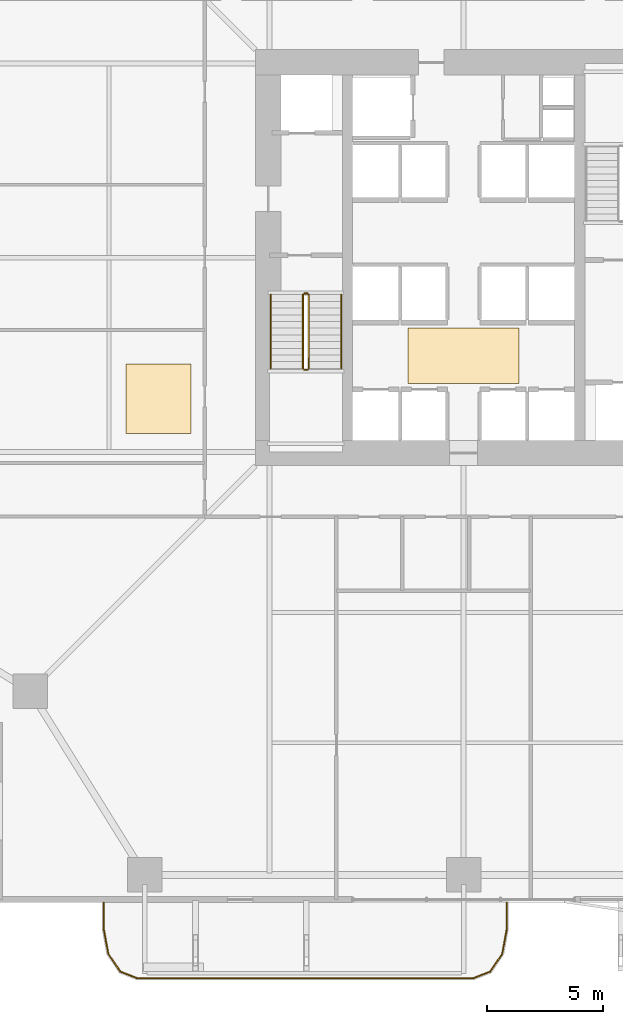
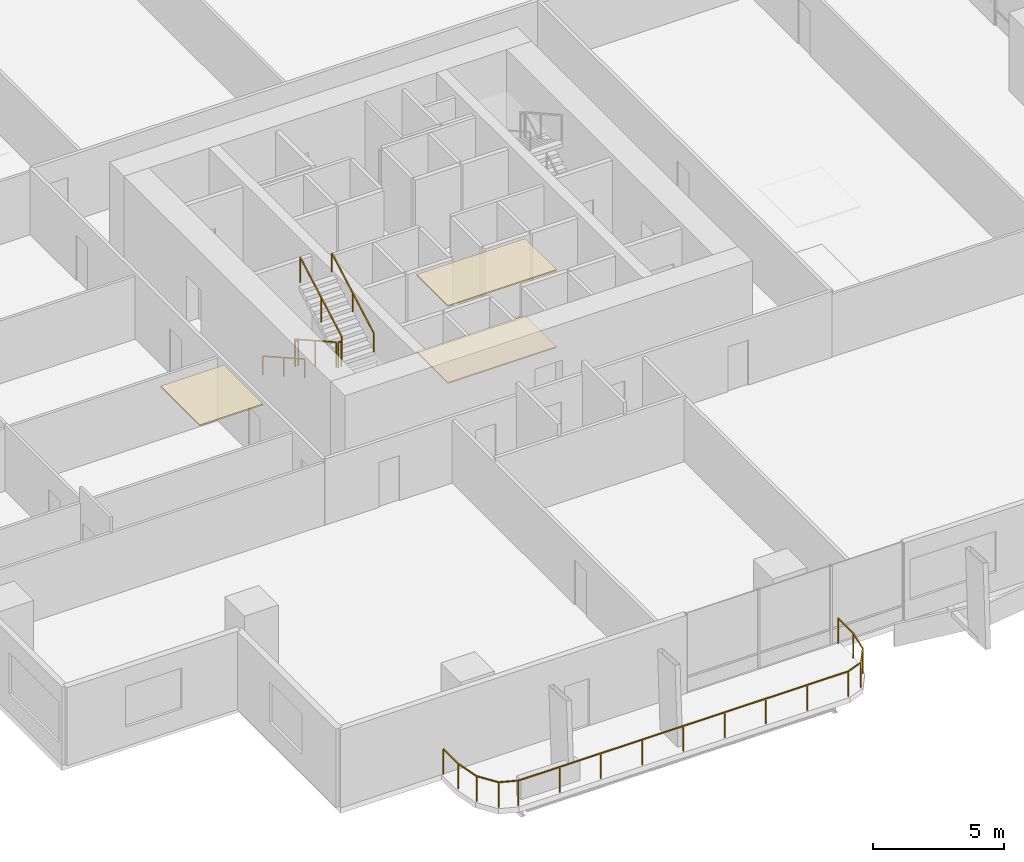
# One storey, part 21 of 23: 7 railings, 3 coverings.
"""IFC4 building model written with IfcOpenShell, lengths in metres."""

from ifc_helpers import new_model, si_unit, direction, frame, origin, origin_2d, place, context, subcontext, project, spatial, polyline, rectangle, outline, extrude, material, layer, layer_set, type_object, element, save


model = new_model("IFC4")

# Units and contexts
model_context = context("Model", 3, precision=1e-05, world=origin(), true_north=direction((0.0, 1.0)))
body_context = subcontext(model_context, "Body", "Model", "MODEL_VIEW")
ifc_project = project(units=[si_unit("LENGTHUNIT", "METRE"), si_unit("AREAUNIT", "SQUARE_METRE"), si_unit("VOLUMEUNIT", "CUBIC_METRE"), si_unit("PLANEANGLEUNIT", "RADIAN"), si_unit("MASSUNIT", "GRAM", prefix="KILO")], contexts=[model_context])

# Site, building, storey
site_placement = place(None, origin())
site = spatial("IfcSite", under=ifc_project, at=site_placement, CompositionType="ELEMENT")
building_placement = place(site_placement, origin())
building = spatial("IfcBuilding", under=site, at=building_placement, Name="Belovzor Exchange Tower", CompositionType="ELEMENT")
storey_placement = place(building_placement, frame((0.0, 0.0, 53.39990234375)))
storey = spatial("IfcBuildingStorey", under=building, at=storey_placement, Name="L12", CompositionType="ELEMENT", Elevation=53.39990234375)

# Railings
ifc_material_1 = material(Name="Stainless Steel Grade 304", Category="steel")
railing_type_1 = type_object("IfcRailingType", Name="Brushed Stainless Steel Stair Handrail 900", PredefinedType="HANDRAIL", material=ifc_material_1)
railing_1_placement = place(storey_placement, frame((20.449951171875, 27.199951171875, 0.16259765625)))
element("IfcRailing", 1, at=railing_1_placement, inside=storey, type_object=railing_type_1, Name="L12 ST-1 stair handrail 1", PredefinedType="HANDRAIL", context=body_context, shape_type="SweptSolid", body=[
    extrude(rectangle(XDim=0.048095703125, YDim=0.048095703125, at=origin_2d()), frame((0.0, 0.0, 0.8759765625), z_axis=(0.0, -0.8723625253, 0.488859514025), x_axis=(1.0, 0.0, 0.0)), (0.0, 0.0, 1.0), 3.65673828125),
    extrude(rectangle(XDim=0.0419921875, YDim=0.0419921875, at=origin_2d()), origin(), (0.0, 0.0, 1.0), 0.851806640625),
    extrude(rectangle(XDim=0.0419921875, YDim=0.0419921875, at=origin_2d()), frame((0.0, -1.594970703125, 0.893798828125)), (0.0, 0.0, 1.0), 0.851806640625),
    extrude(rectangle(XDim=0.0419921875, YDim=0.0419921875, at=origin_2d()), frame((0.0, -3.18994140625, 1.78759765625)), (0.0, 0.0, 1.0), 0.851806640625),
])
railing_2_placement = place(storey_placement, frame((23.5, 24.010009765625, 2.112548828125)))
element("IfcRailing", 2, at=railing_2_placement, inside=storey, type_object=railing_type_1, Name="L12 ST-1 stair handrail 2", PredefinedType="HANDRAIL", context=body_context, shape_type="SweptSolid", body=[
    extrude(rectangle(XDim=0.048095703125, YDim=0.048095703125, at=origin_2d()), frame((0.0, 0.0, 0.8759765625), z_axis=(0.0, 0.8723625253, 0.488859514025), x_axis=(-1.0, 0.0, 0.0)), (0.0, 0.0, 1.0), 3.65673828125),
    extrude(rectangle(XDim=0.0419921875, YDim=0.0419921875, at=origin_2d()), origin(), (0.0, 0.0, 1.0), 0.851806640625),
    extrude(rectangle(XDim=0.0419921875, YDim=0.0419921875, at=origin_2d()), frame((0.0, 1.594970703125, 0.893798828125)), (0.0, 0.0, 1.0), 0.851806640625),
    extrude(rectangle(XDim=0.0419921875, YDim=0.0419921875, at=origin_2d()), frame((0.0, 3.18994140625, 1.78759765625)), (0.0, 0.0, 1.0), 0.851806640625),
])
ifc_material_2 = material(Name="Stainless Steel and Laminated Safety Glass", Category="steel")
railing_type_2 = type_object("IfcRailingType", Name="Laminated Glass & Stainless Steel Balcony Balustrade 1200", PredefinedType="BALUSTRADE", material=ifc_material_2)
railing_3_placement = place(storey_placement, frame((13.22998046875, 0.889892578125, 0.0)))
element("IfcRailing", 3, at=railing_3_placement, inside=storey, type_object=railing_type_2, Name="GR-1 Balcony Balustrade L12 South", PredefinedType="BALUSTRADE", context=body_context, shape_type="SweptSolid", body=[
    extrude(rectangle(XDim=0.048095703125, YDim=0.048095703125, at=origin_2d()), frame((0.0, 0.0, 1.17578125), z_axis=(0.0, -1.0, 0.0), x_axis=(1.0, 0.0, 0.0)), (0.0, 0.0, 1.0), 1.1328125),
    extrude(rectangle(XDim=0.048095703125, YDim=0.048095703125, at=origin_2d()), frame((0.0, -1.1328125, 1.17578125), z_axis=(0.180083182347, -0.983651385113, 0.0), x_axis=(0.983651385113, 0.180083182347, 0.0)), (0.0, 0.0, 1.0), 1.093994140625),
    extrude(rectangle(XDim=0.048095703125, YDim=0.048095703125, at=origin_2d()), frame((0.197021484375, -2.208984375, 1.17578125), z_axis=(0.562768145367, -0.826614792125, 0.0), x_axis=(0.826614792125, 0.562768145367, 0.0)), (0.0, 0.0, 1.0), 0.9326171875),
    extrude(rectangle(XDim=0.048095703125, YDim=0.048095703125, at=origin_2d()), frame((0.721923828125, -2.97998046875, 1.17578125), z_axis=(0.930809580156, -0.365504480807, 0.0), x_axis=(0.365504480807, 0.930809580156, 0.0)), (0.0, 0.0, 1.0), 0.76611328125),
    extrude(rectangle(XDim=0.048095703125, YDim=0.048095703125, at=origin_2d()), frame((1.43505859375, -3.260009765625, 1.17578125), z_axis=(1.0, 0.0, 0.0), x_axis=(0.0, 1.0, 0.0)), (0.0, 0.0, 1.0), 14.570068359375),
    extrude(rectangle(XDim=0.048095703125, YDim=0.048095703125, at=origin_2d()), frame((16.005126953125, -3.260009765625, 1.17578125), z_axis=(0.930766990125, 0.365612923861, 0.0), x_axis=(-0.365612923861, 0.930766990125, 0.0)), (0.0, 0.0, 1.0), 0.765869140625),
    extrude(rectangle(XDim=0.048095703125, YDim=0.048095703125, at=origin_2d()), frame((16.718017578125, -2.97998046875, 1.17578125), z_axis=(0.562768145367, 0.826614792125, 0.0), x_axis=(-0.826614792125, 0.562768145367, 0.0)), (0.0, 0.0, 1.0), 0.9326171875),
    extrude(rectangle(XDim=0.048095703125, YDim=0.048095703125, at=origin_2d()), frame((17.242919921875, -2.208984375, 1.17578125), z_axis=(0.180083182347, 0.983651385113, 0.0), x_axis=(-0.983651385113, 0.180083182347, 0.0)), (0.0, 0.0, 1.0), 1.093994140625),
    extrude(rectangle(XDim=0.048095703125, YDim=0.048095703125, at=origin_2d()), frame((17.43994140625, -1.1328125, 1.17578125), z_axis=(0.0, 1.0, 0.0), x_axis=(-1.0, 0.0, 0.0)), (0.0, 0.0, 1.0), 1.1328125),
    extrude(rectangle(XDim=0.0419921875, YDim=0.0419921875, at=origin_2d()), origin(), (0.0, 0.0, 1.0), 1.15185546875),
    extrude(rectangle(XDim=0.0419921875, YDim=0.0419921875, at=origin_2d()), frame((0.0, -1.1328125, 0.0)), (0.0, 0.0, 1.0), 1.15185546875),
    extrude(rectangle(XDim=0.0419921875, YDim=0.0419921875, at=origin_2d()), frame((0.197021484375, -2.208984375, 0.0)), (0.0, 0.0, 1.0), 1.15185546875),
    extrude(rectangle(XDim=0.0419921875, YDim=0.0419921875, at=origin_2d()), frame((0.721923828125, -2.97998046875, 0.0)), (0.0, 0.0, 1.0), 1.15185546875),
    extrude(rectangle(XDim=0.0419921875, YDim=0.0419921875, at=origin_2d()), frame((1.43505859375, -3.260009765625, 0.0)), (0.0, 0.0, 1.0), 1.15185546875),
    extrude(rectangle(XDim=0.0419921875, YDim=0.0419921875, at=origin_2d()), frame((3.25634765625, -3.260009765625, 0.0)), (0.0, 0.0, 1.0), 1.15185546875),
    extrude(rectangle(XDim=0.0419921875, YDim=0.0419921875, at=origin_2d()), frame((5.07763671875, -3.260009765625, 0.0)), (0.0, 0.0, 1.0), 1.15185546875),
    extrude(rectangle(XDim=0.0419921875, YDim=0.0419921875, at=origin_2d()), frame((6.89892578125, -3.260009765625, 0.0)), (0.0, 0.0, 1.0), 1.15185546875),
    extrude(rectangle(XDim=0.0419921875, YDim=0.0419921875, at=origin_2d()), frame((8.72021484375, -3.260009765625, 0.0)), (0.0, 0.0, 1.0), 1.15185546875),
    extrude(rectangle(XDim=0.0419921875, YDim=0.0419921875, at=origin_2d()), frame((10.541259765625, -3.260009765625, 0.0)), (0.0, 0.0, 1.0), 1.15185546875),
    extrude(rectangle(XDim=0.0419921875, YDim=0.0419921875, at=origin_2d()), frame((12.362548828125, -3.260009765625, 0.0)), (0.0, 0.0, 1.0), 1.15185546875),
    extrude(rectangle(XDim=0.0419921875, YDim=0.0419921875, at=origin_2d()), frame((14.183837890625, -3.260009765625, 0.0)), (0.0, 0.0, 1.0), 1.15185546875),
    extrude(rectangle(XDim=0.0419921875, YDim=0.0419921875, at=origin_2d()), frame((16.005126953125, -3.260009765625, 0.0)), (0.0, 0.0, 1.0), 1.15185546875),
    extrude(rectangle(XDim=0.0419921875, YDim=0.0419921875, at=origin_2d()), frame((16.718017578125, -2.97998046875, 0.0)), (0.0, 0.0, 1.0), 1.15185546875),
    extrude(rectangle(XDim=0.0419921875, YDim=0.0419921875, at=origin_2d()), frame((17.242919921875, -2.208984375, 0.0)), (0.0, 0.0, 1.0), 1.15185546875),
    extrude(rectangle(XDim=0.0419921875, YDim=0.0419921875, at=origin_2d()), frame((17.43994140625, -1.1328125, 0.0)), (0.0, 0.0, 1.0), 1.15185546875),
    extrude(rectangle(XDim=0.0419921875, YDim=0.0419921875, at=origin_2d()), frame((17.43994140625, 0.0, 0.0)), (0.0, 0.0, 1.0), 1.15185546875),
])
ifc_material_3 = material(Name="Steel S355", Category="steel")
railing_type_3 = type_object("IfcRailingType", Name="Painted Steel Stairwell Guardrail 1200", PredefinedType="GUARDRAIL", material=ifc_material_3)
railing_4_placement = place(storey_placement, frame((21.85009765625, 27.199951171875, 0.16259765625)))
element("IfcRailing", 4, at=railing_4_placement, inside=storey, type_object=railing_type_3, Name="L12 ST-1 stair guard 1", PredefinedType="GUARDRAIL", context=body_context, shape_type="SweptSolid", body=[
    extrude(rectangle(XDim=0.048095703125, YDim=0.048095703125, at=origin_2d()), frame((0.0, 0.0, 1.17578125), z_axis=(0.0, -0.8723625253, 0.488859514025), x_axis=(1.0, 0.0, 0.0)), (0.0, 0.0, 1.0), 3.65673828125),
    extrude(rectangle(XDim=0.0419921875, YDim=0.0419921875, at=origin_2d()), origin(), (0.0, 0.0, 1.0), 1.15185546875),
    extrude(rectangle(XDim=0.0419921875, YDim=0.0419921875, at=origin_2d()), frame((0.0, -1.594970703125, 0.893798828125)), (0.0, 0.0, 1.0), 1.15185546875),
    extrude(rectangle(XDim=0.0419921875, YDim=0.0419921875, at=origin_2d()), frame((0.0, -3.18994140625, 1.78759765625)), (0.0, 0.0, 1.0), 1.15185546875),
])
railing_5_placement = place(storey_placement, frame((21.89990234375, 23.9599609375, 1.9501953125)))
element("IfcRailing", 5, at=railing_5_placement, inside=storey, type_object=railing_type_3, Name="L12 ST-1 stair guard 2", PredefinedType="GUARDRAIL", context=body_context, shape_type="SweptSolid", body=[
    extrude(rectangle(XDim=0.048095703125, YDim=0.048095703125, at=origin_2d()), frame((0.0, 0.0, 1.17578125), z_axis=(1.0, 0.0, 0.0), x_axis=(0.0, 1.0, 0.0)), (0.0, 0.0, 1.0), 0.150146484375),
    extrude(rectangle(XDim=0.0419921875, YDim=0.0419921875, at=origin_2d()), origin(), (0.0, 0.0, 1.0), 1.15185546875),
    extrude(rectangle(XDim=0.0419921875, YDim=0.0419921875, at=origin_2d()), frame((0.150146484375, 0.0, 0.0)), (0.0, 0.0, 1.0), 1.15185546875),
])
railing_6_placement = place(storey_placement, frame((22.10009765625, 24.010009765625, 2.112548828125)))
element("IfcRailing", 6, at=railing_6_placement, inside=storey, type_object=railing_type_3, Name="L12 ST-1 stair guard 3", PredefinedType="GUARDRAIL", context=body_context, shape_type="SweptSolid", body=[
    extrude(rectangle(XDim=0.048095703125, YDim=0.048095703125, at=origin_2d()), frame((0.0, 0.0, 1.17578125), z_axis=(0.0, 0.8723625253, 0.488859514025), x_axis=(-1.0, 0.0, 0.0)), (0.0, 0.0, 1.0), 3.65673828125),
    extrude(rectangle(XDim=0.0419921875, YDim=0.0419921875, at=origin_2d()), origin(), (0.0, 0.0, 1.0), 1.15185546875),
    extrude(rectangle(XDim=0.0419921875, YDim=0.0419921875, at=origin_2d()), frame((0.0, 1.594970703125, 0.893798828125)), (0.0, 0.0, 1.0), 1.15185546875),
    extrude(rectangle(XDim=0.0419921875, YDim=0.0419921875, at=origin_2d()), frame((0.0, 3.18994140625, 1.78759765625)), (0.0, 0.0, 1.0), 1.15185546875),
])
railing_7_placement = place(storey_placement, frame((21.89990234375, 27.25, 0.0)))
element("IfcRailing", 7, at=railing_7_placement, inside=storey, type_object=railing_type_3, Name="L12 ST-1 stair guard 4", PredefinedType="GUARDRAIL", context=body_context, shape_type="SweptSolid", body=[
    extrude(rectangle(XDim=0.048095703125, YDim=0.048095703125, at=origin_2d()), frame((0.0, 0.0, 1.17578125), z_axis=(1.0, 0.0, 0.0), x_axis=(0.0, 1.0, 0.0)), (0.0, 0.0, 1.0), 0.150146484375),
    extrude(rectangle(XDim=0.0419921875, YDim=0.0419921875, at=origin_2d()), origin(), (0.0, 0.0, 1.0), 1.15185546875),
    extrude(rectangle(XDim=0.0419921875, YDim=0.0419921875, at=origin_2d()), frame((0.150146484375, 0.0, 0.0)), (0.0, 0.0, 1.0), 1.15185546875),
])

# Coverings
ifc_material_4 = material(Name="Perforated Powder-Coated Aluminium", Category="aluminium")
ifc_layer_1 = layer(ifc_material_4, 0.06005859375)
ifc_layer_set_1 = layer_set([ifc_layer_1], Name="Perforated Powder-Coated Aluminium")
covering_type_1 = type_object("IfcCoveringType", Name="Perforated Acoustic Metal Tile Suspended Ceiling 60", PredefinedType="CEILING", material=ifc_layer_set_1)
covering_1_placement = place(storey_placement, frame((0.0, 0.0, 3.590087890625)))
element("IfcCovering", 8, at=covering_1_placement, inside=storey, type_object=covering_type_1, Name="CLG-AC60 Suspended Ceiling CLG-L12-LOB", PredefinedType="CEILING", context=body_context, shape_type="SweptSolid", body=[
    extrude(outline(polyline([(26.39990234375, 23.35009765625), (31.199951171875, 23.35009765625), (31.199951171875, 25.75), (26.39990234375, 25.75), (26.39990234375, 23.35009765625)])), origin(), (0.0, 0.0, 1.0), 0.06005859375),
])
covering_2_placement = place(storey_placement, frame((0.0, 0.0, 3.590087890625)))
element("IfcCovering", 9, at=covering_2_placement, inside=storey, type_object=covering_type_1, Name="CLG-AC60 Suspended Ceiling CLG-L12-Z3", PredefinedType="CEILING", context=body_context, shape_type="SweptSolid", body=[
    extrude(outline(polyline([(14.199951171875, 21.199951171875), (17.0, 21.199951171875), (17.0, 24.199951171875), (14.199951171875, 24.199951171875), (14.199951171875, 21.199951171875)])), origin(), (0.0, 0.0, 1.0), 0.06005859375),
])
ifc_material_5 = material(Name="Polished Natural Granite Tile", Category="masonry")
ifc_layer_2 = layer(ifc_material_5, 0.050048828125)
ifc_layer_set_2 = layer_set([ifc_layer_2], Name="Polished Natural Granite Tile")
covering_type_2 = type_object("IfcCoveringType", Name="Polished Karelian Granite & Raised Access Floor Finish 50", PredefinedType="FLOORING", material=ifc_layer_set_2)
covering_3_placement = place(storey_placement, origin())
element("IfcCovering", 10, at=covering_3_placement, inside=storey, type_object=covering_type_2, Name="FLR-GR50 Floor Finish FLR-L12-LOB", PredefinedType="FLOORING", context=body_context, shape_type="SweptSolid", body=[
    extrude(outline(polyline([(26.39990234375, 23.35009765625), (31.199951171875, 23.35009765625), (31.199951171875, 25.75), (26.39990234375, 25.75), (26.39990234375, 23.35009765625)])), origin(), (0.0, 0.0, 1.0), 0.050048828125),
])

save(model, "model.ifc")
